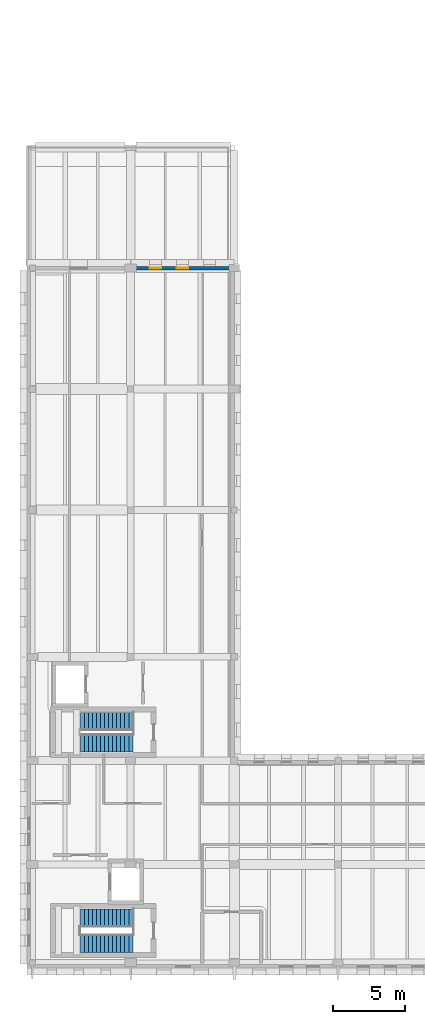
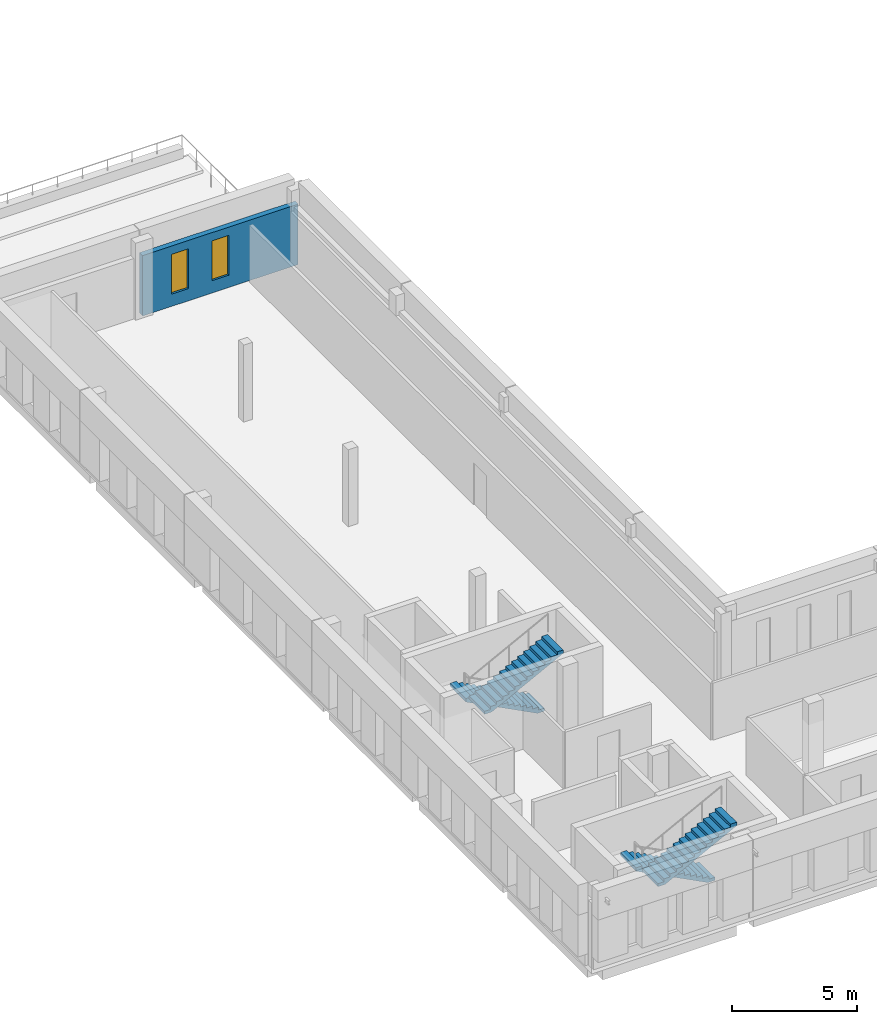
# One storey, part 11 of 15: 4 stair flights, 2 windows, 1 wall, 2 openings, 2 elements without a shape of their own.
"""IFC4 building model written with IfcOpenShell, lengths in metres."""

from ifc_helpers import new_model, si_unit, direction, frame, frame_2d, origin, place, context, subcontext, project, spatial, polyline, rectangle, outline, extrude, material, layer, layer_set, type_object, element, fill, aggregate, save


model = new_model("IFC4")

# Units and contexts
model_context = context("Model", 3, precision=1e-05, world=origin(), true_north=direction((0.0, 1.0)))
body_context = subcontext(model_context, "Body", "Model", "MODEL_VIEW")
ifc_project = project(units=[si_unit("LENGTHUNIT", "METRE"), si_unit("AREAUNIT", "SQUARE_METRE"), si_unit("VOLUMEUNIT", "CUBIC_METRE"), si_unit("PLANEANGLEUNIT", "RADIAN"), si_unit("MASSUNIT", "GRAM", prefix="KILO")], contexts=[model_context])

# Site, building, storey
site_placement = place(None, origin())
site = spatial("IfcSite", under=ifc_project, at=site_placement, CompositionType="ELEMENT")
building_placement = place(site_placement, origin())
building = spatial("IfcBuilding", under=site, at=building_placement, Name="Vardoun Plaza Health Centre", CompositionType="ELEMENT")
storey_placement = place(building_placement, frame((0.0, 0.0, 17.10009765625)))
storey = spatial("IfcBuildingStorey", under=building, at=storey_placement, Name="L04", CompositionType="ELEMENT", Elevation=17.10009765625)

# Wall, openings, windows
ifc_material_1 = material(Name="Pale Limestone Concrete C35/45", Category="masonry")
ifc_layer = layer(ifc_material_1, 0.25)
ifc_layer_set = layer_set([ifc_layer], Name="Pale Limestone Concrete C35/45")
wall_type = type_object("IfcWallType", Name="EW-07", PredefinedType="STANDARD", material=ifc_layer_set)
wall_placement = place(storey_placement, frame((11.699951171875, 53.074951171875, 0.0), z_axis=(0.0, 0.0, 1.0), x_axis=(1.0, 0.0, 0.0)))
wall = element("IfcWall", 1, at=wall_placement, inside=storey, type_object=wall_type, Name="V2 L04 Exterior Wall EW-V2-179", PredefinedType="STANDARD", context=body_context, shape_type="SweptSolid", body=[
    extrude(rectangle(XDim=7.199951171875, YDim=0.25, at=frame_2d((3.60009765625, 0.0))), origin(), (0.0, 0.0, 1.0), 2.954833984375),
])
opening_1_placement = place(wall_placement, frame((1.337890625, 0.0, 0.60009765625)))
opening_1 = element("IfcOpeningElement", 2, at=opening_1_placement, cuts=wall, Name="Opening W-30-012", PredefinedType="OPENING", context=body_context, shape_type="SweptSolid", body=[
    extrude(rectangle(XDim=0.780029296875, YDim=1.949951171875, at=frame_2d((0.39013671875, 0.97509765625))), frame((0.0, 0.125, 0.0), z_axis=(0.0, -1.0, 0.0), x_axis=(1.0, 0.0, 0.0)), (0.0, 0.0, 1.0), 0.25),
])
opening_2_placement = place(wall_placement, frame((3.2099609375, 0.0, 0.60009765625)))
opening_2 = element("IfcOpeningElement", 3, at=opening_2_placement, cuts=wall, Name="Opening W-30-013", PredefinedType="OPENING", context=body_context, shape_type="SweptSolid", body=[
    extrude(rectangle(XDim=0.780029296875, YDim=1.949951171875, at=frame_2d((0.39013671875, 0.97509765625))), frame((0.0, 0.125, 0.0), z_axis=(0.0, -1.0, 0.0), x_axis=(1.0, 0.0, 0.0)), (0.0, 0.0, 1.0), 0.25),
])
ifc_material_2 = material(Name="Aluminium Alloy EN AW-6063-T6 and Low-E Glass", Category="aluminium")
window_type = type_object("IfcWindowType", Name="W-30", PartitioningType="SINGLE_PANEL", PredefinedType="WINDOW", material=ifc_material_2)
window_1_placement = place(opening_1_placement, origin())
window_1 = element("IfcWindow", 4, at=window_1_placement, inside=storey, type_object=window_type, Name="V2 L04 Deep-Punched Slot Window W-30-242", OverallHeight=1.949951171875, OverallWidth=0.780029296875, PartitioningType="SINGLE_PANEL", PredefinedType="WINDOW", context=body_context, shape_type="SweptSolid", body=[
    extrude(rectangle(XDim=0.780029296875, YDim=1.949951171875, at=frame_2d((0.39013671875, 0.97509765625))), frame((0.0, 0.030029296875, 0.0), z_axis=(0.0, -1.0, 0.0), x_axis=(1.0, 0.0, 0.0)), (0.0, 0.0, 1.0), 0.06005859375),
])
fill(opening_1, window_1)
window_2_placement = place(opening_2_placement, origin())
window_2 = element("IfcWindow", 5, at=window_2_placement, inside=storey, type_object=window_type, Name="V2 L04 Deep-Punched Slot Window W-30-243", OverallHeight=1.949951171875, OverallWidth=0.780029296875, PartitioningType="SINGLE_PANEL", PredefinedType="WINDOW", context=body_context, shape_type="SweptSolid", body=[
    extrude(rectangle(XDim=0.780029296875, YDim=1.949951171875, at=frame_2d((0.39013671875, 0.97509765625))), frame((0.0, 0.030029296875, 0.0), z_axis=(0.0, -1.0, 0.0), x_axis=(1.0, 0.0, 0.0)), (0.0, 0.0, 1.0), 0.06005859375),
])
fill(opening_2, window_2)

# Stair, stair flights
ifc_material_3 = material(Name="Concrete C35/45", Category="concrete")
stair_type = type_object("IfcStairType", Name="ST-01", PredefinedType="HALF_TURN_STAIR", material=ifc_material_3)
stair_1_placement = place(storey_placement, origin())
stair_1 = element("IfcStair", 6, at=stair_1_placement, inside=storey, type_object=stair_type, Name="Core C1 L04 Exit Stair ST-C1-L04", PredefinedType="HALF_TURN_STAIR")
ifc_material_4 = material(Name="Concrete C35/45", Category="concrete")
stair_flight_type = type_object("IfcStairFlightType", Name="SF-01", PredefinedType="STRAIGHT", material=ifc_material_4)
stair_flight_1_placement = place(storey_placement, frame((11.85009765625, 7.97998046875, 0.0), z_axis=(0.0, 0.0, 1.0), x_axis=(-1.0, 0.0, 0.0)))
stair_flight_1 = element("IfcStairFlight", 7, at=stair_flight_1_placement, type_object=stair_flight_type, Name="ST-C1-L04 flight 1", NumberOfRisers=14, NumberOfTreads=13, PredefinedType="STRAIGHT", RiserHeight=0.144643, TreadLength=0.28, context=body_context, shape_type="SweptSolid", body=[
    extrude(outline(polyline([(0.0, 0.0), (0.0, 0.14453125), (0.280029296875, 0.14453125), (0.280029296875, 0.289306640625), (0.56005859375, 0.289306640625), (0.56005859375, 0.433837890625), (0.840087890625, 0.433837890625), (0.840087890625, 0.57861328125), (1.1201171875, 0.57861328125), (1.1201171875, 0.72314453125), (1.39990234375, 0.72314453125), (1.39990234375, 0.867919921875), (1.679931640625, 0.867919921875), (1.679931640625, 1.012451171875), (1.9599609375, 1.012451171875), (1.9599609375, 1.1572265625), (2.239990234375, 1.1572265625), (2.239990234375, 1.3017578125), (2.52001953125, 1.3017578125), (2.52001953125, 1.446533203125), (2.800048828125, 1.446533203125), (2.800048828125, 1.591064453125), (3.080078125, 1.591064453125), (3.080078125, 1.735595703125), (3.360107421875, 1.735595703125), (3.360107421875, 1.88037109375), (3.639892578125, 1.88037109375), (3.639892578125, 2.02490234375), (3.639892578125, 1.711669921875), (0.32666015625, 0.0), (0.0, 0.0)])), frame((0.0, 0.625, 0.0), z_axis=(0.0, -1.0, 0.0), x_axis=(1.0, 0.0, 0.0)), (0.0, 0.0, 1.0), 1.25),
])
stair_flight_2_placement = place(storey_placement, frame((8.2099609375, 6.219970703125, 2.02490234375), z_axis=(0.0, 0.0, 1.0), x_axis=(1.0, 0.0, 0.0)))
stair_flight_2 = element("IfcStairFlight", 8, at=stair_flight_2_placement, type_object=stair_flight_type, Name="ST-C1-L04 flight 2", NumberOfRisers=14, NumberOfTreads=13, PredefinedType="STRAIGHT", RiserHeight=0.144643, TreadLength=0.28, context=body_context, shape_type="SweptSolid", body=[
    extrude(outline(polyline([(0.0, 0.0), (0.0, 0.14453125), (0.280029296875, 0.14453125), (0.280029296875, 0.289306640625), (0.56005859375, 0.289306640625), (0.56005859375, 0.433837890625), (0.840087890625, 0.433837890625), (0.840087890625, 0.57861328125), (1.1201171875, 0.57861328125), (1.1201171875, 0.72314453125), (1.39990234375, 0.72314453125), (1.39990234375, 0.867919921875), (1.679931640625, 0.867919921875), (1.679931640625, 1.012451171875), (1.9599609375, 1.012451171875), (1.9599609375, 1.1572265625), (2.239990234375, 1.1572265625), (2.239990234375, 1.3017578125), (2.52001953125, 1.3017578125), (2.52001953125, 1.446533203125), (2.800048828125, 1.446533203125), (2.800048828125, 1.591064453125), (3.080078125, 1.591064453125), (3.080078125, 1.735595703125), (3.360107421875, 1.735595703125), (3.360107421875, 1.88037109375), (3.639892578125, 1.88037109375), (3.639892578125, 2.02490234375), (3.639892578125, 1.711669921875), (0.32666015625, 0.0), (0.0, 0.0)])), frame((0.0, 0.625, 0.0), z_axis=(0.0, -1.0, 0.0), x_axis=(1.0, 0.0, 0.0)), (0.0, 0.0, 1.0), 1.25),
])
aggregate(stair_1, [stair_flight_1, stair_flight_2])

stair_2_placement = place(storey_placement, origin())
stair_2 = element("IfcStair", 9, at=stair_2_placement, inside=storey, type_object=stair_type, Name="Core C2 L04 Exit Stair ST-C2-L04", PredefinedType="HALF_TURN_STAIR")
stair_flight_3_placement = place(storey_placement, frame((11.85009765625, 21.6298828125, 0.0), z_axis=(0.0, 0.0, 1.0), x_axis=(-1.0, 0.0, 0.0)))
stair_flight_3 = element("IfcStairFlight", 10, at=stair_flight_3_placement, type_object=stair_flight_type, Name="ST-C2-L04 flight 1", NumberOfRisers=14, NumberOfTreads=13, PredefinedType="STRAIGHT", RiserHeight=0.144643, TreadLength=0.28, context=body_context, shape_type="SweptSolid", body=[
    extrude(outline(polyline([(0.0, 0.0), (0.0, 0.14453125), (0.280029296875, 0.14453125), (0.280029296875, 0.289306640625), (0.56005859375, 0.289306640625), (0.56005859375, 0.433837890625), (0.840087890625, 0.433837890625), (0.840087890625, 0.57861328125), (1.1201171875, 0.57861328125), (1.1201171875, 0.72314453125), (1.39990234375, 0.72314453125), (1.39990234375, 0.867919921875), (1.679931640625, 0.867919921875), (1.679931640625, 1.012451171875), (1.9599609375, 1.012451171875), (1.9599609375, 1.1572265625), (2.239990234375, 1.1572265625), (2.239990234375, 1.3017578125), (2.52001953125, 1.3017578125), (2.52001953125, 1.446533203125), (2.800048828125, 1.446533203125), (2.800048828125, 1.591064453125), (3.080078125, 1.591064453125), (3.080078125, 1.735595703125), (3.360107421875, 1.735595703125), (3.360107421875, 1.88037109375), (3.639892578125, 1.88037109375), (3.639892578125, 2.02490234375), (3.639892578125, 1.711669921875), (0.32666015625, 0.0), (0.0, 0.0)])), frame((0.0, 0.625, 0.0), z_axis=(0.0, -1.0, 0.0), x_axis=(1.0, 0.0, 0.0)), (0.0, 0.0, 1.0), 1.25),
])
stair_flight_4_placement = place(storey_placement, frame((8.2099609375, 20.1201171875, 2.02490234375), z_axis=(0.0, 0.0, 1.0), x_axis=(1.0, 0.0, 0.0)))
stair_flight_4 = element("IfcStairFlight", 11, at=stair_flight_4_placement, type_object=stair_flight_type, Name="ST-C2-L04 flight 2", NumberOfRisers=14, NumberOfTreads=13, PredefinedType="STRAIGHT", RiserHeight=0.144643, TreadLength=0.28, context=body_context, shape_type="SweptSolid", body=[
    extrude(outline(polyline([(0.0, 0.0), (0.0, 0.14453125), (0.280029296875, 0.14453125), (0.280029296875, 0.289306640625), (0.56005859375, 0.289306640625), (0.56005859375, 0.433837890625), (0.840087890625, 0.433837890625), (0.840087890625, 0.57861328125), (1.1201171875, 0.57861328125), (1.1201171875, 0.72314453125), (1.39990234375, 0.72314453125), (1.39990234375, 0.867919921875), (1.679931640625, 0.867919921875), (1.679931640625, 1.012451171875), (1.9599609375, 1.012451171875), (1.9599609375, 1.1572265625), (2.239990234375, 1.1572265625), (2.239990234375, 1.3017578125), (2.52001953125, 1.3017578125), (2.52001953125, 1.446533203125), (2.800048828125, 1.446533203125), (2.800048828125, 1.591064453125), (3.080078125, 1.591064453125), (3.080078125, 1.735595703125), (3.360107421875, 1.735595703125), (3.360107421875, 1.88037109375), (3.639892578125, 1.88037109375), (3.639892578125, 2.02490234375), (3.639892578125, 1.711669921875), (0.32666015625, 0.0), (0.0, 0.0)])), frame((0.0, 0.625, 0.0), z_axis=(0.0, -1.0, 0.0), x_axis=(1.0, 0.0, 0.0)), (0.0, 0.0, 1.0), 1.25),
])
aggregate(stair_2, [stair_flight_3, stair_flight_4])

save(model, "model.ifc")
